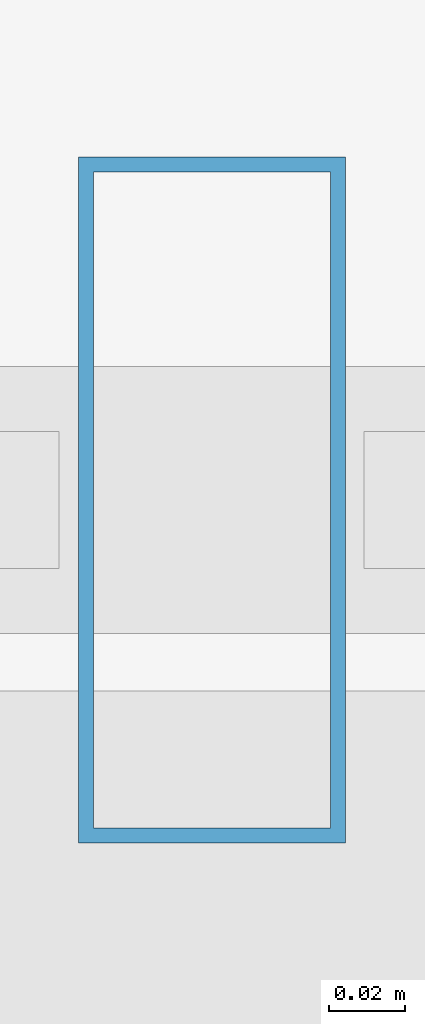
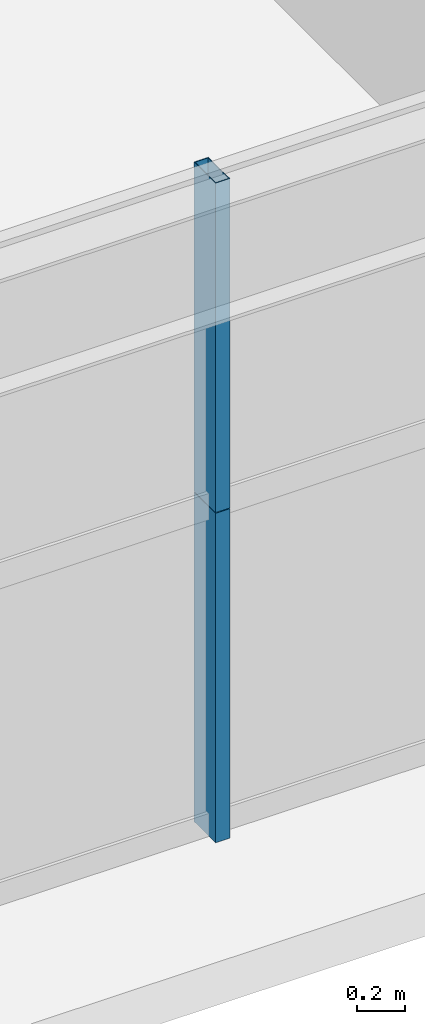
# One storey, part 13 of 43: 2 members, 1 element without a shape of its own.
"""IFC4 building model written with IfcOpenShell, lengths in metres."""

from ifc_helpers import new_model, si_unit, direction, frame, origin, origin_2d, place, context, subcontext, project, spatial, hollow_rectangle, extrude, source, transform, mapped, material, layer, layer_set, material_profile, profile_set, type_object, element, aggregate, save


model = new_model("IFC4")

# Units and contexts
model_context = context("Model", 3, precision=1e-05, world=origin(), true_north=direction((0.0, 1.0)))
body_context = subcontext(model_context, "Body", "Model", "MODEL_VIEW")
ifc_project = project(units=[si_unit("LENGTHUNIT", "METRE"), si_unit("AREAUNIT", "SQUARE_METRE"), si_unit("VOLUMEUNIT", "CUBIC_METRE"), si_unit("PLANEANGLEUNIT", "RADIAN"), si_unit("MASSUNIT", "GRAM", prefix="KILO"), si_unit("THERMODYNAMICTEMPERATUREUNIT", "KELVIN"), si_unit("POWERUNIT", "WATT")], contexts=[model_context])

# Site, building, storey
site_placement = place(None, origin())
site = spatial("IfcSite", under=ifc_project, at=site_placement, CompositionType="ELEMENT")
building_placement = place(site_placement, origin())
building = spatial("IfcBuilding", under=site, at=building_placement, Name="Yuzanri Waterfront Tower", CompositionType="ELEMENT")
storey_placement = place(building_placement, frame((0.0, 0.0, 46.0)))
storey = spatial("IfcBuildingStorey", under=building, at=storey_placement, Name="L11", CompositionType="ELEMENT", Elevation=46.0)

# Curtain wall, members
ifc_material_1 = material(Name="Anodized Architectural Bronze", Category="metal")
ifc_layer = layer(ifc_material_1, 0.159912109375)
ifc_layer_set = layer_set([ifc_layer], Name="Anodized Architectural Bronze")
curtain_wall_type = type_object("IfcCurtainWallType", Name="Anodized Bronze Hotel Lower-Tier Recessed Unitized Curtain Wall 8100", PredefinedType="NOTDEFINED", material=ifc_layer_set)
curtain_wall_placement = place(storey_placement, origin())
curtain_wall = element("IfcCurtainWall", 1, at=curtain_wall_placement, inside=storey, type_object=curtain_wall_type, Name="L11 Curtain Wall CW-L11-SR", PredefinedType="NOTDEFINED")
ifc_material_2 = material(Name="Anodized Architectural Bronze", Category="metal")
ifc_material_profile = material_profile(ifc_material_2, hollow_rectangle(XDim=0.070068359375, YDim=0.179931640625, WallThickness=0.00390625, at=origin_2d()), Name="CWM 70x180")
ifc_profile_set = profile_set([ifc_material_profile], Name="Anodized Architectural Bronze")
member_type = type_object("IfcMemberType", Name="Anodized Bronze Standard Curtain-Wall Mullion 70x180", PredefinedType="MULLION", material=ifc_profile_set)
shared_shape = source(origin(), body_context, "Body", "SweptSolid", [
    extrude(hollow_rectangle(XDim=0.070068359375, YDim=0.179931640625, WallThickness=0.00390625, at=origin_2d()), origin(), (0.0, 0.0, 1.0), 1.68798828125),
])
member_1_placement = place(storey_placement, frame((46.10009765625, 0.85009765625, 0.0), z_axis=(0.0, 0.0, 1.0), x_axis=(1.0, 0.0, 0.0)))
member_1 = element("IfcMember", 2, at=member_1_placement, type_object=member_type, Name="CW-L11-SR Lower Mullion 01", PredefinedType="MULLION", context=body_context, shape_type="MappedRepresentation", body=[
    mapped(shared_shape, transform((0.0, 0.0, 0.0), scale=1.0)),
])
member_2_placement = place(storey_placement, frame((46.10009765625, 0.85009765625, 1.69189453125), z_axis=(0.0, 0.0, 1.0), x_axis=(1.0, 0.0, 0.0)))
member_2 = element("IfcMember", 3, at=member_2_placement, type_object=member_type, Name="CW-L11-SR Upper Mullion 01", PredefinedType="MULLION", context=body_context, shape_type="MappedRepresentation", body=[
    mapped(shared_shape, transform((0.0, 0.0, 0.0), scale=1.0)),
])
aggregate(curtain_wall, [member_1, member_2])

save(model, "model.ifc")
